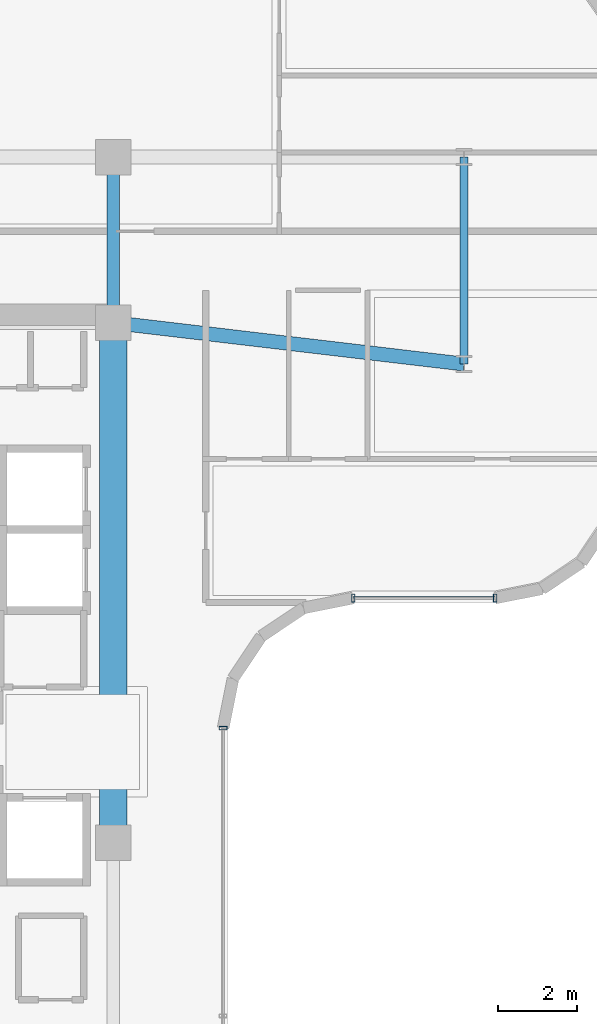
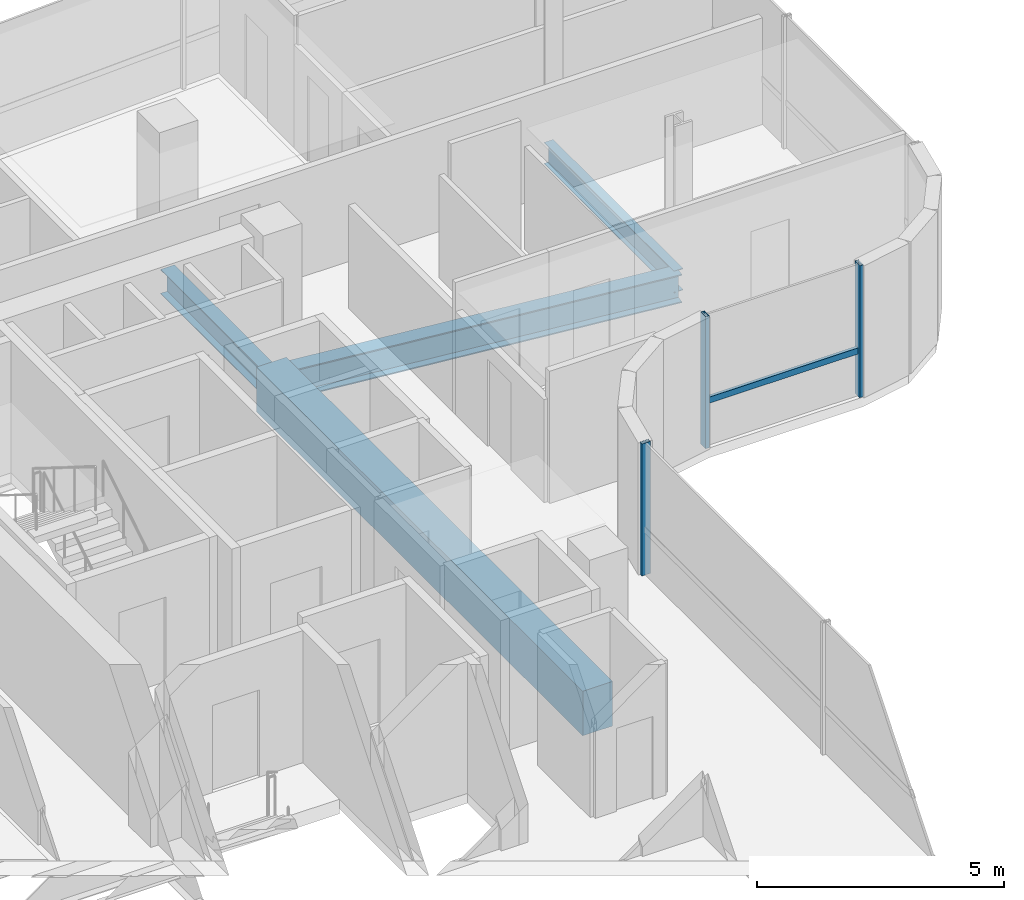
# One storey, part 11 of 24: 4 beams, 4 members, 2 elements without a shape of their own.
"""IFC4 building model written with IfcOpenShell, lengths in metres."""

import ifcopenshell
import ifcopenshell.guid

model = None  # the IFC model being written
_history = None  # IfcOwnerHistory: only IFC2X3 demands one
_inside = {}  # id of a spatial element -> (the spatial element, [elements in it])
_under = {}  # id of a project, library or spatial element -> (it, [spatial elements below it])
_declared = {}  # id of a project -> (the project, [libraries it declares])
_typed = {}  # id of a type object -> (the type object, [elements of that type])
_made_of = {}  # id of a material, layer set ... -> (it, [elements and type objects made of it])


def new_model(schema):
    """Start an empty IFC model of exactly this schema.

    Asked for "IFC4X3", IfcOpenShell would pick the latest addendum, in which some entities
    have other attributes; the version numbers below select the first issue.
    IFC2X3 requires an IfcOwnerHistory on every rooted entity: one is made here for all.
    """
    global model, _history
    if schema == "IFC4X3":
        model = ifcopenshell.file(schema_version=(4, 3, 0, 0))
    else:
        model = ifcopenshell.file(schema=schema)
    _inside.clear()
    _under.clear()
    _declared.clear()
    _typed.clear()
    _made_of.clear()
    _history = None
    if model.schema == "IFC2X3":
        org = make("IfcOrganization", Name="unknown")
        user = make(
            "IfcPersonAndOrganization",
            ThePerson=make("IfcPerson", FamilyName="unknown"),
            TheOrganization=org,
        )
        app = make(
            "IfcApplication",
            ApplicationDeveloper=org,
            Version="unknown",
            ApplicationFullName="unknown",
            ApplicationIdentifier="unknown",
        )
        _history = make(
            "IfcOwnerHistory",
            OwningUser=user,
            OwningApplication=app,
            ChangeAction="ADDED",
            CreationDate=0,
        )
    return model


def make(cls, **values):
    """One entity of the class cls with the attributes given. An attribute that is None is left unset."""
    return model.create_entity(
        cls, **{name: value for name, value in values.items() if value is not None}
    )


def rooted(cls, **values):
    """An entity with a GlobalId (a new one), such as an element, a storey or a relation."""
    return make(cls, GlobalId=ifcopenshell.guid.new(), OwnerHistory=_history, **values)


def si_unit(unit_type, name, prefix=None):
    """IfcSIUnit, for example si_unit("LENGTHUNIT", "METRE", prefix="MILLI")."""
    return make("IfcSIUnit", UnitType=unit_type, Prefix=prefix, Name=name)


def assignment(units):
    """IfcUnitAssignment: the units of a project."""
    return None if units is None else make("IfcUnitAssignment", Units=units)


def point(xyz):
    """IfcCartesianPoint."""
    return None if xyz is None else make("IfcCartesianPoint", Coordinates=xyz)


def direction(xyz):
    """IfcDirection."""
    return None if xyz is None else make("IfcDirection", DirectionRatios=xyz)


def frame(location, z_axis=None, x_axis=None):
    """IfcAxis2Placement3D, a coordinate frame: its origin and axes. An axis left out is left unset."""
    return make(
        "IfcAxis2Placement3D",
        Location=point(location),
        Axis=direction(z_axis),
        RefDirection=direction(x_axis),
    )


def frame_2d(location, x_axis=None):
    """IfcAxis2Placement2D, a coordinate frame in the plane: its origin and x axis."""
    return make(
        "IfcAxis2Placement2D", Location=point(location), RefDirection=direction(x_axis)
    )


def origin():
    """The frame at (0, 0, 0) with its axes left unset."""
    return frame((0.0, 0.0, 0.0))


def origin_2d():
    """The frame at (0, 0) in the plane with its x axis left unset."""
    return frame_2d((0.0, 0.0))


def place(relative_to, where):
    """IfcLocalPlacement: puts the frame where relative to a parent placement (None: the world)."""
    return make(
        "IfcLocalPlacement", PlacementRelTo=relative_to, RelativePlacement=where
    )


def context(
    kind, dimensions, precision=None, world=None, true_north=None, identifier=None
):
    """IfcGeometricRepresentationContext, for example the 3D "Model" context."""
    return make(
        "IfcGeometricRepresentationContext",
        ContextIdentifier=identifier,
        ContextType=kind,
        CoordinateSpaceDimension=dimensions,
        Precision=precision,
        WorldCoordinateSystem=world,
        TrueNorth=true_north,
    )


def subcontext(parent, identifier, kind, view, scale=None):
    """IfcGeometricRepresentationSubContext, for example "Body" below "Model"."""
    return make(
        "IfcGeometricRepresentationSubContext",
        ContextIdentifier=identifier,
        ContextType=kind,
        ParentContext=parent,
        TargetScale=scale,
        TargetView=view,
    )


def project(units=None, contexts=None):
    """IfcProject with its units and contexts."""
    return rooted(
        "IfcProject",
        Name="project",
        RepresentationContexts=contexts,
        UnitsInContext=assignment(units),
    )


def spatial(cls, under=None, at=None, **own):
    """A site, building, storey or space (cls), placed at a placement, below another one or the project."""
    s = rooted(cls, ObjectPlacement=at, **own)
    if under is not None:
        _under.setdefault(under.id(), (under, []))[1].append(s)
    return s


def profile(cls, at=None, kind="AREA", **sizes):
    """A parametric profile (cls). Its sizes go by their IFC names, for example OverallWidth=200.0."""
    return make(cls, ProfileType=kind, Position=at, **sizes)


def rectangle(**sizes):
    """IfcRectangleProfileDef."""
    return profile("IfcRectangleProfileDef", **sizes)


def hollow_rectangle(**sizes):
    """IfcRectangleHollowProfileDef."""
    return profile("IfcRectangleHollowProfileDef", **sizes)


def i_section(**sizes):
    """IfcIShapeProfileDef."""
    return profile("IfcIShapeProfileDef", **sizes)


def extrude(swept, where, along, depth):
    """IfcExtrudedAreaSolid: the profile swept, set in the frame where, extruded along a direction by depth."""
    return make(
        "IfcExtrudedAreaSolid",
        SweptArea=swept,
        Position=where,
        ExtrudedDirection=direction(along),
        Depth=depth,
    )


def shape(context_of_items, identifier, shape_type, items):
    """IfcShapeRepresentation: the items that make up one representation, for example the "Body"."""
    return make(
        "IfcShapeRepresentation",
        ContextOfItems=context_of_items,
        RepresentationIdentifier=identifier,
        RepresentationType=shape_type,
        Items=items,
    )


def source(mapping_origin, context_of_items, identifier, shape_type, items):
    """IfcRepresentationMap: a shape defined once, which mapped items show again and again."""
    return make(
        "IfcRepresentationMap",
        MappingOrigin=mapping_origin,
        MappedRepresentation=shape(context_of_items, identifier, shape_type, items),
    )


def transform(
    local_origin,
    x_axis=None,
    y_axis=None,
    z_axis=None,
    scale=None,
    scale2=None,
    scale3=None,
    uniform=True,
):
    """IfcCartesianTransformationOperator3D, or its non-uniform kind. x_axis, y_axis, z_axis: its Axis1, 2, 3."""
    if uniform:
        return make(
            "IfcCartesianTransformationOperator3D",
            Axis1=direction(x_axis),
            Axis2=direction(y_axis),
            LocalOrigin=point(local_origin),
            Scale=scale,
            Axis3=direction(z_axis),
        )
    return make(
        "IfcCartesianTransformationOperator3DnonUniform",
        Axis1=direction(x_axis),
        Axis2=direction(y_axis),
        LocalOrigin=point(local_origin),
        Scale=scale,
        Axis3=direction(z_axis),
        Scale2=scale2,
        Scale3=scale3,
    )


def mapped(mapping_source, mapping_target):
    """IfcMappedItem: shows the shape of a source again, moved by a transform."""
    return make(
        "IfcMappedItem", MappingSource=mapping_source, MappingTarget=mapping_target
    )


def material(Name=None, Category=None):
    """IfcMaterial."""
    return make("IfcMaterial", Name=Name, Category=Category)


def material_profile(
    of_material, cross_section, Name=None, Category=None, Priority=None
):
    """IfcMaterialProfile: a cross section and its material."""
    return make(
        "IfcMaterialProfile",
        Name=Name,
        Material=of_material,
        Profile=cross_section,
        Priority=Priority,
        Category=Category,
    )


def profile_set(profiles, Name=None, composite=None):
    """IfcMaterialProfileSet."""
    return make(
        "IfcMaterialProfileSet",
        Name=Name,
        MaterialProfiles=profiles,
        CompositeProfile=composite,
    )


def made_of(thing, what):
    """Note that an element or type object is made of a material, layer set ...; save() writes the relation."""
    if what is not None:
        _made_of.setdefault(what.id(), (what, []))[1].append(thing)
    return thing


def type_object(cls, material=None, **own):
    """A type object (cls), such as IfcWallType, which elements share."""
    return made_of(rooted(cls, **own), material)


def element(
    cls,
    number,
    at=None,
    inside=None,
    cuts=None,
    type_object=None,
    material=None,
    context=None,
    identifier="Body",
    shape_type=None,
    held_by="IfcProductDefinitionShape",
    body=None,
    shapes=None,
    **own,
):
    """One element of the class cls, such as IfcWall. Its Tag is "e" and its number.

    at: its placement. inside: the storey or other place that contains it. cuts: it is an
    opening in that element (IfcRelVoidsElement). A single representation is given by context,
    identifier, shape_type and body (its items); several are given by shapes. held_by: the class
    of the entity that holds the representations. save() writes the other relations.
    """
    e = rooted(cls, Tag="e%d" % number, ObjectPlacement=at, **own)
    if body is not None:
        shapes = [shape(context, identifier, shape_type, body)]
    if shapes is not None:
        e.Representation = make(held_by, Representations=shapes)
    if inside is not None:
        _inside.setdefault(inside.id(), (inside, []))[1].append(e)
    if cuts is not None:
        rooted(
            "IfcRelVoidsElement", RelatingBuildingElement=cuts, RelatedOpeningElement=e
        )
    if type_object is not None:
        _typed.setdefault(type_object.id(), (type_object, []))[1].append(e)
    return made_of(e, material)


def aggregate(whole, parts):
    """IfcRelAggregates: a whole, such as a stair, and the parts it consists of."""
    return rooted("IfcRelAggregates", RelatingObject=whole, RelatedObjects=parts)


def save(model, path):
    """Write the relations noted so far, then the file.

    IfcRelAggregates (storeys below a building ...), IfcRelContainedInSpatialStructure (elements
    in a storey), IfcRelDefinesByType, IfcRelAssociatesMaterial and IfcRelDeclares: one each for
    every whole, place, type object, material and project.
    """
    for whole, parts in _under.values():
        aggregate(whole, parts)
    for where, things in _inside.values():
        rooted(
            "IfcRelContainedInSpatialStructure",
            RelatedElements=things,
            RelatingStructure=where,
        )
    for kind, things in _typed.values():
        rooted("IfcRelDefinesByType", RelatedObjects=things, RelatingType=kind)
    for what, things in _made_of.values():
        rooted("IfcRelAssociatesMaterial", RelatedObjects=things, RelatingMaterial=what)
    for by, libraries in _declared.values():
        rooted("IfcRelDeclares", RelatingContext=by, RelatedDefinitions=libraries)
    model.write(path)


model = new_model("IFC4")

# Units and contexts
model_context = context("Model", 3, precision=1e-05, world=origin(), true_north=direction((0.0, 1.0)))
body_context = subcontext(model_context, "Body", "Model", "MODEL_VIEW")
ifc_project = project(units=[si_unit("LENGTHUNIT", "METRE"), si_unit("AREAUNIT", "SQUARE_METRE"), si_unit("VOLUMEUNIT", "CUBIC_METRE"), si_unit("PLANEANGLEUNIT", "RADIAN"), si_unit("MASSUNIT", "GRAM", prefix="KILO")], contexts=[model_context])

# Site, building, storey
site_placement = place(None, origin())
site = spatial("IfcSite", under=ifc_project, at=site_placement, CompositionType="ELEMENT")
building_placement = place(site_placement, origin())
building = spatial("IfcBuilding", under=site, at=building_placement, Name="Valdorenza Pilgrim Sanctuary Tower", CompositionType="ELEMENT")
storey_placement = place(building_placement, frame((0.0, 0.0, 230.0)))
storey = spatial("IfcBuildingStorey", under=building, at=storey_placement, Name="L59", CompositionType="ELEMENT", Elevation=230.0)

# Beams
ifc_material_1 = material(Name="Concrete C50/60", Category="concrete")
ifc_material_profile_1 = material_profile(ifc_material_1, rectangle(XDim=0.699951171875, YDim=1.10009765625, at=origin_2d()), Name="RC 1100x700")
ifc_profile_set_1 = profile_set([ifc_material_profile_1], Name="Concrete C50/60")
beam_type_1 = type_object("IfcBeamType", Name="STR-BM-LNT-1100", PredefinedType="LINTEL", material=ifc_profile_set_1)
shared_shape_1 = source(origin(), body_context, "Body", "SweptSolid", [
    extrude(rectangle(XDim=0.699951171875, YDim=1.10009765625, at=origin_2d()), origin(), (0.0, 0.0, 1.0), 13.2001953125),
])
beam_1_placement = place(storey_placement, frame((-12.39990234375, -2.60009765625, -0.590087890625), z_axis=(0.0, 1.0, 0.0), x_axis=(-1.0, 0.0, 0.0)))
element("IfcBeam", 1, at=beam_1_placement, inside=storey, type_object=beam_type_1, Name="L59 Core A Coupling Lintel Girder", PredefinedType="LINTEL", context=body_context, shape_type="MappedRepresentation", body=[
    mapped(shared_shape_1, transform((0.0, 0.0, 0.0), x_axis=(1.0, 0.0, 0.0), y_axis=(0.0, 1.0, 0.0), z_axis=(0.0, 0.0, 1.0), scale=1.0)),
])
ifc_material_2 = material(Name="Steel ASTM A992 Grade 50", Category="steel")
ifc_material_profile_2 = material_profile(ifc_material_2, i_section(OverallWidth=0.323974609375, OverallDepth=0.611083984375, WebThickness=0.0126953125, FlangeThickness=0.01904296875, at=origin_2d()), Name="W24X104")
ifc_profile_set_2 = profile_set([ifc_material_profile_2], Name="Steel ASTM A992 Grade 50")
beam_type_2 = type_object("IfcBeamType", Name="STR-BM-GRD-W24B", PredefinedType="BEAM", material=ifc_profile_set_2)
shared_shape_2 = source(origin(), body_context, "Body", "SweptSolid", [
    extrude(i_section(OverallWidth=0.323974609375, OverallDepth=0.611083984375, WebThickness=0.0126953125, FlangeThickness=0.01904296875, at=origin_2d()), origin(), (0.0, 0.0, 1.0), 4.199951171875),
])
beam_2_placement = place(storey_placement, frame((-12.39990234375, 10.60009765625, -0.54541015625), z_axis=(0.0, 1.0, 0.0), x_axis=(-1.0, 0.0, 0.0)))
element("IfcBeam", 2, at=beam_2_placement, inside=storey, type_object=beam_type_2, Name="L59 Core Tie Girder CA-E-N1N2", PredefinedType="BEAM", context=body_context, shape_type="MappedRepresentation", body=[
    mapped(shared_shape_2, transform((0.0, 0.0, 0.0), x_axis=(1.0, 0.0, 0.0), y_axis=(0.0, 1.0, 0.0), z_axis=(0.0, 0.0, 1.0), scale=1.0)),
])
ifc_material_profile_3 = material_profile(ifc_material_2, i_section(OverallWidth=0.2109375, OverallDepth=0.5390625, WebThickness=0.01171875, FlangeThickness=0.018798828125, at=origin_2d()), Name="W21X73")
ifc_profile_set_3 = profile_set([ifc_material_profile_3], Name="Steel ASTM A992 Grade 50")
beam_type_3 = type_object("IfcBeamType", Name="STR-BM-SPN-W21B", PredefinedType="SPANDREL", material=ifc_profile_set_3)
shared_shape_3 = source(origin(), body_context, "Body", "SweptSolid", [
    extrude(i_section(OverallWidth=0.2109375, OverallDepth=0.5390625, WebThickness=0.01171875, FlangeThickness=0.018798828125, at=origin_2d()), origin(), (0.0, 0.0, 1.0), 5.25),
])
beam_3_placement = place(storey_placement, frame((-3.5, 9.550048828125, -0.509521484375), z_axis=(0.0, 1.0, 0.0), x_axis=(-1.0, 0.0, 0.0)))
element("IfcBeam", 3, at=beam_3_placement, inside=storey, type_object=beam_type_3, Name="L59 Floor Girder UWA-KTIE", PredefinedType="SPANDREL", context=body_context, shape_type="MappedRepresentation", body=[
    mapped(shared_shape_3, transform((0.0, 0.0, 0.0), x_axis=(1.0, 0.0, 0.0), y_axis=(0.0, 1.0, 0.0), z_axis=(0.0, 0.0, 1.0), scale=1.0)),
])
ifc_material_profile_4 = material_profile(ifc_material_2, i_section(OverallWidth=0.35595703125, OverallDepth=0.700927734375, WebThickness=0.016845703125, FlangeThickness=0.02734375, at=origin_2d()), Name="W27X161")
ifc_profile_set_4 = profile_set([ifc_material_profile_4], Name="Steel ASTM A992 Grade 50")
beam_type_4 = type_object("IfcBeamType", Name="STR-BM-GRD-W27", PredefinedType="BEAM", material=ifc_profile_set_4)
shared_shape_4 = source(origin(), body_context, "Body", "SweptSolid", [
    extrude(i_section(OverallWidth=0.35595703125, OverallDepth=0.700927734375, WebThickness=0.016845703125, FlangeThickness=0.02734375, at=origin_2d()), origin(), (0.0, 0.0, 1.0), 8.961669921875),
])
beam_4_placement = place(storey_placement, frame((-12.39990234375, 10.60009765625, -0.590576171875), z_axis=(0.993111684121, -0.117171595803, 0.0), x_axis=(0.117171595803, 0.993111684121, 0.0)))
element("IfcBeam", 4, at=beam_4_placement, inside=storey, type_object=beam_type_4, Name="L59 Floor Girder UWA-KG1", PredefinedType="BEAM", context=body_context, shape_type="MappedRepresentation", body=[
    mapped(shared_shape_4, transform((0.0, 0.0, 0.0), x_axis=(1.0, 0.0, 0.0), y_axis=(0.0, 1.0, 0.0), z_axis=(0.0, 0.0, 1.0), scale=1.0)),
])

# Curtain wall, members
ifc_material_3 = material(Name="Curtain-wall IGU glazing", Category="glass")
curtain_wall_type = type_object("IfcCurtainWallType", Name="CW-SYS-02", PredefinedType="NOTDEFINED", material=ifc_material_3)
curtain_wall_1_placement = place(storey_placement, origin())
curtain_wall_1 = element("IfcCurtainWall", 5, at=curtain_wall_1_placement, inside=storey, type_object=curtain_wall_type, Name="L59 Curtain Wall CW-L59-1-16", PredefinedType="NOTDEFINED")
ifc_material_4 = material(Name="Anodised aluminium AW-6060", Category="aluminium")
ifc_material_profile_5 = material_profile(ifc_material_4, hollow_rectangle(XDim=0.074951171875, YDim=0.14990234375, WallThickness=0.00390625, at=origin_2d()), Name="ALU-T 150x75x4")
ifc_profile_set_5 = profile_set([ifc_material_profile_5], Name="Anodised aluminium AW-6060")
member_type_1 = type_object("IfcMemberType", Name="CW-TRN-02", PredefinedType="USERDEFINED", material=ifc_profile_set_5)
shared_shape_5 = source(origin(), body_context, "Body", "SweptSolid", [
    extrude(hollow_rectangle(XDim=0.074951171875, YDim=0.14990234375, WallThickness=0.00390625, at=origin_2d()), origin(), (0.0, 0.0, 1.0), 3.60009765625),
])
member_1_placement = place(storey_placement, frame((-2.710693359375, 3.610107421875, 1.1201171875), z_axis=(-1.0, 0.0, 0.0), x_axis=(0.0, -1.0, 0.0)))
member_1 = element("IfcMember", 6, at=member_1_placement, type_object=member_type_1, Name="CW-L59-1-16 Transom 1", ObjectType="TRANSOM", PredefinedType="USERDEFINED", context=body_context, shape_type="MappedRepresentation", body=[
    mapped(shared_shape_5, transform((0.0, 0.0, 0.0), x_axis=(1.0, 0.0, 0.0), y_axis=(0.0, 1.0, 0.0), z_axis=(0.0, 0.0, 1.0), scale=1.0)),
])
ifc_material_profile_6 = material_profile(ifc_material_4, hollow_rectangle(XDim=0.0849609375, YDim=0.199951171875, WallThickness=0.0048828125, at=origin_2d()), Name="ALU-M 200x85x5")
ifc_profile_set_6 = profile_set([ifc_material_profile_6], Name="Anodised aluminium AW-6060")
member_type_2 = type_object("IfcMemberType", Name="CW-MUL-02", PredefinedType="MULLION", material=ifc_profile_set_6)
shared_shape_6 = source(origin(), body_context, "Body", "SweptSolid", [
    extrude(hollow_rectangle(XDim=0.0849609375, YDim=0.199951171875, WallThickness=0.0048828125, at=origin_2d()), origin(), (0.0, 0.0, 1.0), 3.260009765625),
])
member_2_placement = place(storey_placement, frame((-2.710693359375, 3.610107421875, 0.0), z_axis=(0.0, 0.0, 1.0), x_axis=(-1.0, 0.0, 0.0)))
member_2 = element("IfcMember", 7, at=member_2_placement, type_object=member_type_2, Name="CW-L59-1-16 Mullion 1", PredefinedType="MULLION", context=body_context, shape_type="MappedRepresentation", body=[
    mapped(shared_shape_6, transform((0.0, 0.0, 0.0), x_axis=(1.0, 0.0, 0.0), y_axis=(0.0, 1.0, 0.0), z_axis=(0.0, 0.0, 1.0), scale=1.0)),
])
member_3_placement = place(storey_placement, frame((-6.310791015625, 3.610107421875, 0.0), z_axis=(0.0, 0.0, 1.0), x_axis=(-1.0, 0.0, 0.0)))
member_3 = element("IfcMember", 8, at=member_3_placement, type_object=member_type_2, Name="CW-L59-1-16 Mullion 2", PredefinedType="MULLION", context=body_context, shape_type="MappedRepresentation", body=[
    mapped(shared_shape_6, transform((0.0, 0.0, 0.0), x_axis=(1.0, 0.0, 0.0), y_axis=(0.0, 1.0, 0.0), z_axis=(0.0, 0.0, 1.0), scale=1.0)),
])
aggregate(curtain_wall_1, [member_2, member_3, member_1])

# Curtain wall, member
curtain_wall_2_placement = place(storey_placement, origin())
curtain_wall_2 = element("IfcCurtainWall", 9, at=curtain_wall_2_placement, inside=storey, type_object=curtain_wall_type, Name="L59 Curtain Wall CW-L59-1-21", PredefinedType="NOTDEFINED")
member_4_placement = place(storey_placement, frame((-9.610107421875, 0.310791015625, 0.0), z_axis=(0.0, 0.0, 1.0), x_axis=(0.0, -1.0, 0.0)))
member_4 = element("IfcMember", 10, at=member_4_placement, type_object=member_type_2, Name="CW-L59-1-21 Mullion 1", PredefinedType="MULLION", context=body_context, shape_type="MappedRepresentation", body=[
    mapped(shared_shape_6, transform((0.0, 0.0, 0.0), x_axis=(1.0, 0.0, 0.0), y_axis=(0.0, 1.0, 0.0), z_axis=(0.0, 0.0, 1.0), scale=1.0)),
])
aggregate(curtain_wall_2, [member_4])

save(model, "model.ifc")
